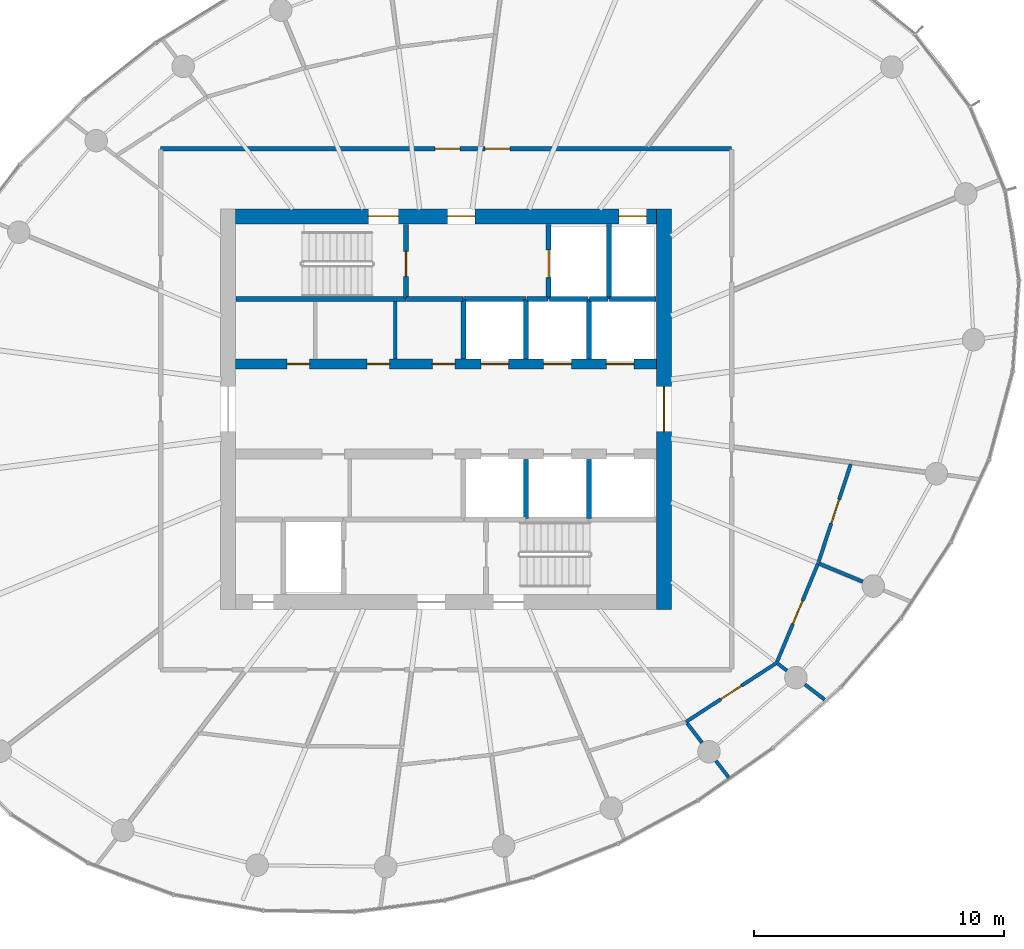
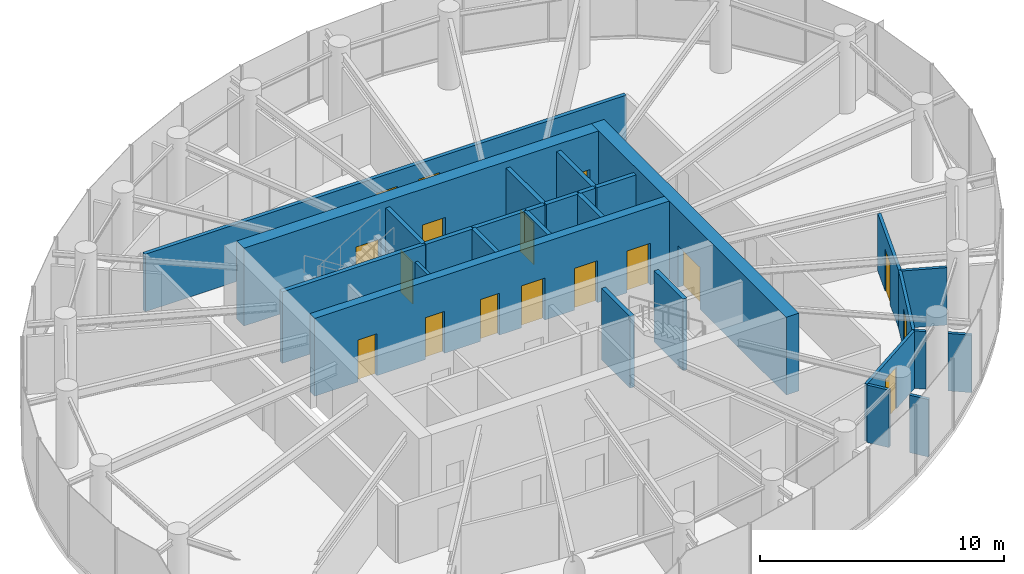
# One storey, part 11 of 14: 28 walls, 17 doors, 17 openings.
"""IFC4 building model written with IfcOpenShell, lengths in metres."""

from ifc_helpers import new_model, si_unit, direction, frame, frame_2d, origin, place, context, subcontext, project, spatial, rectangle, extrude, source, transform, mapped, material, layer, layer_set, type_object, element, fill, save


model = new_model("IFC4")

# Units and contexts
model_context = context("Model", 3, precision=1e-05, world=origin(), true_north=direction((0.0, 1.0)))
body_context = subcontext(model_context, "Body", "Model", "MODEL_VIEW")
ifc_project = project(units=[si_unit("LENGTHUNIT", "METRE"), si_unit("AREAUNIT", "SQUARE_METRE"), si_unit("VOLUMEUNIT", "CUBIC_METRE"), si_unit("PLANEANGLEUNIT", "RADIAN"), si_unit("MASSUNIT", "GRAM", prefix="KILO")], contexts=[model_context])

# Site, building, storey
site_placement = place(None, origin())
site = spatial("IfcSite", under=ifc_project, at=site_placement, CompositionType="ELEMENT")
building_placement = place(site_placement, origin())
building = spatial("IfcBuilding", under=site, at=building_placement, Name="Spindrift Exchange Tower", CompositionType="ELEMENT")
storey_placement = place(building_placement, frame((0.0, 0.0, 215.0)))
storey = spatial("IfcBuildingStorey", under=building, at=storey_placement, Name="L52", CompositionType="ELEMENT", Elevation=215.0)

# Wall, opening, door
ifc_material_1 = material(Name="Concrete 50 MPa", Category="concrete")
ifc_layer_1 = layer(ifc_material_1, 0.60009765625)
ifc_layer_set_1 = layer_set([ifc_layer_1], Name="RC Core Wall 600 Concrete 50 MPa")
wall_type_1 = type_object("IfcWallType", Name="RC Core Wall 600 Concrete 50 MPa", PredefinedType="SHEAR", material=ifc_layer_set_1)
wall_1_placement = place(storey_placement, frame((60.699951171875, 40.0, 0.0), z_axis=(0.0, 0.0, 1.0), x_axis=(0.0, 1.0, 0.0)))
wall_1 = element("IfcWall", 1, at=wall_1_placement, inside=storey, type_object=wall_type_1, Name="Core wall E L52", PredefinedType="SHEAR", context=body_context, shape_type="SweptSolid", body=[
    extrude(rectangle(XDim=16.0, YDim=0.60009765625, at=frame_2d((8.0, 0.0))), origin(), (0.0, 0.0, 1.0), 3.89990234375),
])
opening_1_placement = place(wall_1_placement, frame((7.10009765625, 0.0, 0.0)))
opening_1 = element("IfcOpeningElement", 2, at=opening_1_placement, cuts=wall_1, Name="Opening L52-D2", PredefinedType="OPENING", context=body_context, shape_type="SweptSolid", body=[
    extrude(rectangle(XDim=1.800048828125, YDim=2.10009765625, at=frame_2d((0.89990234375, 1.050048828125))), frame((0.0, 0.31005859375, 0.0), z_axis=(0.0, -1.0, 0.0), x_axis=(1.0, 0.0, 0.0)), (0.0, 0.0, 1.0), 0.6201171875),
])
ifc_material_2 = material(Name="Timber-core fire door", Category="wood")
door_type_1 = type_object("IfcDoorType", Name="DR-LOBBY-1800", OperationType="NOTDEFINED", PredefinedType="DOOR", material=ifc_material_2)
shared_shape_1 = source(origin(), body_context, "Body", "SweptSolid", [
    extrude(rectangle(XDim=1.800048828125, YDim=2.10009765625, at=frame_2d((0.89990234375, 1.050048828125))), frame((0.0, 0.02490234375, 0.0), z_axis=(0.0, -1.0, 0.0), x_axis=(1.0, 0.0, 0.0)), (0.0, 0.0, 1.0), 0.050048828125),
])
door_1_placement = place(opening_1_placement, origin())
door_1 = element("IfcDoor", 3, at=door_1_placement, inside=storey, type_object=door_type_1, Name="L52 Lobby door 2", OperationType="SINGLE_SWING_RIGHT", OverallHeight=2.10009765625, OverallWidth=1.800048828125, PredefinedType="DOOR", context=body_context, shape_type="MappedRepresentation", body=[
    mapped(shared_shape_1, transform((0.0, 0.0, 0.0), scale=1.0)),
])
fill(opening_1, door_1)

# Wall, openings, doors
wall_2_placement = place(storey_placement, frame((60.39990234375, 55.699951171875, 0.0), z_axis=(0.0, 0.0, 1.0), x_axis=(-1.0, 0.0, 0.0)))
wall_2 = element("IfcWall", 4, at=wall_2_placement, inside=storey, type_object=wall_type_1, Name="Core wall N L52", PredefinedType="SHEAR", context=body_context, shape_type="SweptSolid", body=[
    extrude(rectangle(XDim=16.7998046875, YDim=0.60009765625, at=frame_2d((8.39990234375, 0.0))), origin(), (0.0, 0.0, 1.0), 3.89990234375),
])
opening_2_placement = place(wall_2_placement, frame((0.39990234375, 0.0, 0.0)))
opening_2 = element("IfcOpeningElement", 5, at=opening_2_placement, cuts=wall_2, Name="Opening L52-D11", PredefinedType="OPENING", context=body_context, shape_type="SweptSolid", body=[
    extrude(rectangle(XDim=1.10009765625, YDim=2.10009765625, at=frame_2d((0.550048828125, 1.050048828125))), frame((0.0, 0.31005859375, 0.0), z_axis=(0.0, -1.0, 0.0), x_axis=(1.0, 0.0, 0.0)), (0.0, 0.0, 1.0), 0.6201171875),
])
opening_3_placement = place(wall_2_placement, frame((10.300048828125, 0.0, 0.0)))
opening_3 = element("IfcOpeningElement", 6, at=opening_3_placement, cuts=wall_2, Name="Opening L52-D12", PredefinedType="OPENING", context=body_context, shape_type="SweptSolid", body=[
    extrude(rectangle(XDim=1.199951171875, YDim=2.10009765625, at=frame_2d((0.60009765625, 1.050048828125))), frame((0.0, 0.31005859375, 0.0), z_axis=(0.0, -1.0, 0.0), x_axis=(1.0, 0.0, 0.0)), (0.0, 0.0, 1.0), 0.6201171875),
])
opening_4_placement = place(wall_2_placement, frame((7.25, 0.0, 0.0)))
opening_4 = element("IfcOpeningElement", 7, at=opening_4_placement, cuts=wall_2, Name="Opening L52-D14", PredefinedType="OPENING", context=body_context, shape_type="SweptSolid", body=[
    extrude(rectangle(XDim=1.10009765625, YDim=2.10009765625, at=frame_2d((0.550048828125, 1.050048828125))), frame((0.0, 0.31005859375, 0.0), z_axis=(0.0, -1.0, 0.0), x_axis=(1.0, 0.0, 0.0)), (0.0, 0.0, 1.0), 0.6201171875),
])
ifc_material_3 = material(Name="Stainless steel landing door", Category="steel")
door_type_2 = type_object("IfcDoorType", Name="DR-LANDING-1100-SL", OperationType="DOUBLE_DOOR_SLIDING", PredefinedType="USERDEFINED", material=ifc_material_3)
shared_shape_2 = source(origin(), body_context, "Body", "SweptSolid", [
    extrude(rectangle(XDim=1.10009765625, YDim=2.10009765625, at=frame_2d((0.550048828125, 1.050048828125))), frame((0.0, 0.02490234375, 0.0), z_axis=(0.0, -1.0, 0.0), x_axis=(1.0, 0.0, 0.0)), (0.0, 0.0, 1.0), 0.050048828125),
])
door_2_placement = place(opening_2_placement, origin())
door_2 = element("IfcDoor", 8, at=door_2_placement, inside=storey, type_object=door_type_2, Name="L52 Lift landing door 11", ObjectType="LANDING DOOR", OperationType="DOUBLE_DOOR_SLIDING", OverallHeight=2.10009765625, OverallWidth=1.10009765625, PredefinedType="USERDEFINED", context=body_context, shape_type="MappedRepresentation", body=[
    mapped(shared_shape_2, transform((0.0, 0.0, 0.0), scale=1.0)),
])
fill(opening_2, door_2)
ifc_material_4 = material(Name="Steel fire door", Category="steel")
door_type_3 = type_object("IfcDoorType", Name="DR-STAIR-1200", OperationType="NOTDEFINED", PredefinedType="DOOR", material=ifc_material_4)
shared_shape_3 = source(origin(), body_context, "Body", "SweptSolid", [
    extrude(rectangle(XDim=1.199951171875, YDim=2.10009765625, at=frame_2d((0.60009765625, 1.050048828125))), frame((0.0, 0.02490234375, 0.0), z_axis=(0.0, -1.0, 0.0), x_axis=(1.0, 0.0, 0.0)), (0.0, 0.0, 1.0), 0.050048828125),
])
door_3_placement = place(opening_3_placement, origin())
door_3 = element("IfcDoor", 9, at=door_3_placement, inside=storey, type_object=door_type_3, Name="L52 Stair door 12", OperationType="SINGLE_SWING_LEFT", OverallHeight=2.10009765625, OverallWidth=1.199951171875, PredefinedType="DOOR", context=body_context, shape_type="MappedRepresentation", body=[
    mapped(shared_shape_3, transform((0.0, 0.0, 0.0), scale=1.0)),
])
fill(opening_3, door_3)
door_type_4 = type_object("IfcDoorType", Name="DR-LOBBY-1100", OperationType="NOTDEFINED", PredefinedType="DOOR", material=ifc_material_2)
shared_shape_4 = source(origin(), body_context, "Body", "SweptSolid", [
    extrude(rectangle(XDim=1.10009765625, YDim=2.10009765625, at=frame_2d((0.550048828125, 1.050048828125))), frame((0.0, 0.02490234375, 0.0), z_axis=(0.0, -1.0, 0.0), x_axis=(1.0, 0.0, 0.0)), (0.0, 0.0, 1.0), 0.050048828125),
])
door_4_placement = place(opening_4_placement, origin())
door_4 = element("IfcDoor", 10, at=door_4_placement, inside=storey, type_object=door_type_4, Name="L52 Lobby door 14", OperationType="SINGLE_SWING_LEFT", OverallHeight=2.10009765625, OverallWidth=1.10009765625, PredefinedType="DOOR", context=body_context, shape_type="MappedRepresentation", body=[
    mapped(shared_shape_4, transform((0.0, 0.0, 0.0), scale=1.0)),
])
fill(opening_4, door_4)

ifc_layer_2 = layer(ifc_material_1, 0.39990234375)
ifc_layer_set_2 = layer_set([ifc_layer_2], Name="RC Spine Wall 400 Concrete 50 MPa")
wall_type_2 = type_object("IfcWallType", Name="RC Spine Wall 400 Concrete 50 MPa", PredefinedType="SHEAR", material=ifc_layer_set_2)
wall_3_placement = place(storey_placement, frame((43.60009765625, 49.800048828125, 0.0), z_axis=(0.0, 0.0, 1.0), x_axis=(1.0, 0.0, 0.0)))
wall_3 = element("IfcWall", 11, at=wall_3_placement, inside=storey, type_object=wall_type_2, Name="Core spine wall N L52", PredefinedType="SHEAR", context=body_context, shape_type="SweptSolid", body=[
    extrude(rectangle(XDim=16.7998046875, YDim=0.39990234375, at=frame_2d((8.39990234375, 0.0))), origin(), (0.0, 0.0, 1.0), 3.89990234375),
])
opening_5_placement = place(wall_3_placement, frame((9.800048828125, 0.0, 0.0)))
opening_5 = element("IfcOpeningElement", 12, at=opening_5_placement, cuts=wall_3, Name="Opening L52-D3", PredefinedType="OPENING", context=body_context, shape_type="SweptSolid", body=[
    extrude(rectangle(XDim=1.10009765625, YDim=2.10009765625, at=frame_2d((0.550048828125, 1.050048828125))), frame((0.0, 0.2099609375, 0.0), z_axis=(0.0, -1.0, 0.0), x_axis=(1.0, 0.0, 0.0)), (0.0, 0.0, 1.0), 0.419921875),
])
opening_6_placement = place(wall_3_placement, frame((12.300048828125, 0.0, 0.0)))
opening_6 = element("IfcOpeningElement", 13, at=opening_6_placement, cuts=wall_3, Name="Opening L52-D4", PredefinedType="OPENING", context=body_context, shape_type="SweptSolid", body=[
    extrude(rectangle(XDim=1.10009765625, YDim=2.10009765625, at=frame_2d((0.550048828125, 1.050048828125))), frame((0.0, 0.2099609375, 0.0), z_axis=(0.0, -1.0, 0.0), x_axis=(1.0, 0.0, 0.0)), (0.0, 0.0, 1.0), 0.419921875),
])
opening_7_placement = place(wall_3_placement, frame((14.800048828125, 0.0, 0.0)))
opening_7 = element("IfcOpeningElement", 14, at=opening_7_placement, cuts=wall_3, Name="Opening L52-D5", PredefinedType="OPENING", context=body_context, shape_type="SweptSolid", body=[
    extrude(rectangle(XDim=1.10009765625, YDim=2.10009765625, at=frame_2d((0.550048828125, 1.050048828125))), frame((0.0, 0.2099609375, 0.0), z_axis=(0.0, -1.0, 0.0), x_axis=(1.0, 0.0, 0.0)), (0.0, 0.0, 1.0), 0.419921875),
])
opening_8_placement = place(wall_3_placement, frame((2.050048828125, 0.0, 0.0)))
opening_8 = element("IfcOpeningElement", 15, at=opening_8_placement, cuts=wall_3, Name="Opening L52-D41", PredefinedType="OPENING", context=body_context, shape_type="SweptSolid", body=[
    extrude(rectangle(XDim=0.89990234375, YDim=2.10009765625, at=frame_2d((0.449951171875, 1.050048828125))), frame((0.0, 0.2099609375, 0.0), z_axis=(0.0, -1.0, 0.0), x_axis=(1.0, 0.0, 0.0)), (0.0, 0.0, 1.0), 0.419921875),
])
opening_9_placement = place(wall_3_placement, frame((5.25, 0.0, 0.0)))
opening_9 = element("IfcOpeningElement", 16, at=opening_9_placement, cuts=wall_3, Name="Opening L52-D42", PredefinedType="OPENING", context=body_context, shape_type="SweptSolid", body=[
    extrude(rectangle(XDim=0.89990234375, YDim=2.10009765625, at=frame_2d((0.449951171875, 1.050048828125))), frame((0.0, 0.2099609375, 0.0), z_axis=(0.0, -1.0, 0.0), x_axis=(1.0, 0.0, 0.0)), (0.0, 0.0, 1.0), 0.419921875),
])
opening_10_placement = place(wall_3_placement, frame((7.85009765625, 0.0, 0.0)))
opening_10 = element("IfcOpeningElement", 17, at=opening_10_placement, cuts=wall_3, Name="Opening L52-D43", PredefinedType="OPENING", context=body_context, shape_type="SweptSolid", body=[
    extrude(rectangle(XDim=0.89990234375, YDim=2.10009765625, at=frame_2d((0.449951171875, 1.050048828125))), frame((0.0, 0.2099609375, 0.0), z_axis=(0.0, -1.0, 0.0), x_axis=(1.0, 0.0, 0.0)), (0.0, 0.0, 1.0), 0.419921875),
])
door_5_placement = place(opening_5_placement, origin())
door_5 = element("IfcDoor", 18, at=door_5_placement, inside=storey, type_object=door_type_2, Name="L52 Lift landing door 3", ObjectType="LANDING DOOR", OperationType="DOUBLE_DOOR_SLIDING", OverallHeight=2.10009765625, OverallWidth=1.10009765625, PredefinedType="USERDEFINED", context=body_context, shape_type="MappedRepresentation", body=[
    mapped(shared_shape_2, transform((0.0, 0.0, 0.0), scale=1.0)),
])
fill(opening_5, door_5)
door_6_placement = place(opening_6_placement, origin())
door_6 = element("IfcDoor", 19, at=door_6_placement, inside=storey, type_object=door_type_2, Name="L52 Lift landing door 4", ObjectType="LANDING DOOR", OperationType="DOUBLE_DOOR_SLIDING", OverallHeight=2.10009765625, OverallWidth=1.10009765625, PredefinedType="USERDEFINED", context=body_context, shape_type="MappedRepresentation", body=[
    mapped(shared_shape_2, transform((0.0, 0.0, 0.0), scale=1.0)),
])
fill(opening_6, door_6)
door_7_placement = place(opening_7_placement, origin())
door_7 = element("IfcDoor", 20, at=door_7_placement, inside=storey, type_object=door_type_2, Name="L52 Lift landing door 5", ObjectType="LANDING DOOR", OperationType="DOUBLE_DOOR_SLIDING", OverallHeight=2.10009765625, OverallWidth=1.10009765625, PredefinedType="USERDEFINED", context=body_context, shape_type="MappedRepresentation", body=[
    mapped(shared_shape_2, transform((0.0, 0.0, 0.0), scale=1.0)),
])
fill(opening_7, door_7)
ifc_material_5 = material(Name="Steel access door", Category="steel")
door_type_5 = type_object("IfcDoorType", Name="DR-RISER-900", OperationType="NOTDEFINED", PredefinedType="DOOR", material=ifc_material_5)
shared_shape_5 = source(origin(), body_context, "Body", "SweptSolid", [
    extrude(rectangle(XDim=0.89990234375, YDim=2.10009765625, at=frame_2d((0.449951171875, 1.050048828125))), frame((0.0, 0.02490234375, 0.0), z_axis=(0.0, -1.0, 0.0), x_axis=(1.0, 0.0, 0.0)), (0.0, 0.0, 1.0), 0.050048828125),
])
door_8_placement = place(opening_8_placement, origin())
door_8 = element("IfcDoor", 21, at=door_8_placement, inside=storey, type_object=door_type_5, Name="L52 Riser door 41", OperationType="SINGLE_SWING_RIGHT", OverallHeight=2.10009765625, OverallWidth=0.89990234375, PredefinedType="DOOR", context=body_context, shape_type="MappedRepresentation", body=[
    mapped(shared_shape_5, transform((0.0, 0.0, 0.0), scale=1.0)),
])
fill(opening_8, door_8)
door_9_placement = place(opening_9_placement, origin())
door_9 = element("IfcDoor", 22, at=door_9_placement, inside=storey, type_object=door_type_5, Name="L52 Riser door 42", OperationType="SINGLE_SWING_LEFT", OverallHeight=2.10009765625, OverallWidth=0.89990234375, PredefinedType="DOOR", context=body_context, shape_type="MappedRepresentation", body=[
    mapped(shared_shape_5, transform((0.0, 0.0, 0.0), scale=1.0)),
])
fill(opening_9, door_9)
door_10_placement = place(opening_10_placement, origin())
door_10 = element("IfcDoor", 23, at=door_10_placement, inside=storey, type_object=door_type_5, Name="L52 Riser door 43", OperationType="SINGLE_SWING_RIGHT", OverallHeight=2.10009765625, OverallWidth=0.89990234375, PredefinedType="DOOR", context=body_context, shape_type="MappedRepresentation", body=[
    mapped(shared_shape_5, transform((0.0, 0.0, 0.0), scale=1.0)),
])
fill(opening_10, door_10)

ifc_material_6 = material(Name="Fire-rated plasterboard partition", Category="gypsum")
ifc_layer_3 = layer(ifc_material_6, 0.179931640625)
ifc_layer_set_3 = layer_set([ifc_layer_3], Name="W-CORR-180")
wall_type_3 = type_object("IfcWallType", Name="W-CORR-180", PredefinedType="PARTITIONING", material=ifc_layer_set_3)
wall_4_placement = place(storey_placement, frame((40.60009765625, 58.39990234375, 0.0), z_axis=(0.0, 0.0, 1.0), x_axis=(1.0, 0.0, 0.0)))
wall_4 = element("IfcWall", 24, at=wall_4_placement, inside=storey, type_object=wall_type_3, Name="L52 Partition wall 27", PredefinedType="PARTITIONING", context=body_context, shape_type="SweptSolid", body=[
    extrude(rectangle(XDim=22.7998046875, YDim=0.179931640625, at=frame_2d((11.39990234375, 0.0))), origin(), (0.0, 0.0, 1.0), 2.8798828125),
])
opening_11_placement = place(wall_4_placement, frame((12.949951171875, 0.0, 0.0)))
opening_11 = element("IfcOpeningElement", 25, at=opening_11_placement, cuts=wall_4, Name="Opening L52-D32", PredefinedType="OPENING", context=body_context, shape_type="SweptSolid", body=[
    extrude(rectangle(XDim=1.0, YDim=2.10009765625, at=frame_2d((0.5, 1.050048828125))), frame((0.0, 0.099853515625, 0.0), z_axis=(0.0, -1.0, 0.0), x_axis=(1.0, 0.0, 0.0)), (0.0, 0.0, 1.0), 0.199951171875),
])
opening_12_placement = place(wall_4_placement, frame((10.949951171875, 0.0, 0.0)))
opening_12 = element("IfcOpeningElement", 26, at=opening_12_placement, cuts=wall_4, Name="Opening L52-D33", PredefinedType="OPENING", context=body_context, shape_type="SweptSolid", body=[
    extrude(rectangle(XDim=1.0, YDim=2.10009765625, at=frame_2d((0.5, 1.050048828125))), frame((0.0, 0.099853515625, 0.0), z_axis=(0.0, -1.0, 0.0), x_axis=(1.0, 0.0, 0.0)), (0.0, 0.0, 1.0), 0.199951171875),
])
door_type_6 = type_object("IfcDoorType", Name="DR-ROOM-1000", OperationType="NOTDEFINED", PredefinedType="DOOR", material=ifc_material_2)
shared_shape_6 = source(origin(), body_context, "Body", "SweptSolid", [
    extrude(rectangle(XDim=1.0, YDim=2.10009765625, at=frame_2d((0.5, 1.050048828125))), frame((0.0, 0.02490234375, 0.0), z_axis=(0.0, -1.0, 0.0), x_axis=(1.0, 0.0, 0.0)), (0.0, 0.0, 1.0), 0.050048828125),
])
door_11_placement = place(opening_11_placement, origin())
door_11 = element("IfcDoor", 27, at=door_11_placement, inside=storey, type_object=door_type_6, Name="L52 Door 32", OperationType="SINGLE_SWING_LEFT", OverallHeight=2.10009765625, OverallWidth=1.0, PredefinedType="DOOR", context=body_context, shape_type="MappedRepresentation", body=[
    mapped(shared_shape_6, transform((0.0, 0.0, 0.0), scale=1.0)),
])
fill(opening_11, door_11)
door_12_placement = place(opening_12_placement, origin())
door_12 = element("IfcDoor", 28, at=door_12_placement, inside=storey, type_object=door_type_6, Name="L52 Door 33", OperationType="SINGLE_SWING_RIGHT", OverallHeight=2.10009765625, OverallWidth=1.0, PredefinedType="DOOR", context=body_context, shape_type="MappedRepresentation", body=[
    mapped(shared_shape_6, transform((0.0, 0.0, 0.0), scale=1.0)),
])
fill(opening_12, door_12)

# Wall, opening, door
ifc_layer_4 = layer(ifc_material_6, 0.139892578125)
ifc_layer_set_4 = layer_set([ifc_layer_4], Name="W-PART-140")
wall_type_4 = type_object("IfcWallType", Name="W-PART-140", PredefinedType="PARTITIONING", material=ifc_layer_set_4)
wall_5_placement = place(storey_placement, frame((65.2021484375, 37.86962890625, 0.0), z_axis=(0.0, 0.0, 1.0), x_axis=(-0.837855616801, -0.545891899001, 0.0)))
wall_5 = element("IfcWall", 29, at=wall_5_placement, inside=storey, type_object=wall_type_4, Name="L52 Partition wall 39", PredefinedType="PARTITIONING", context=body_context, shape_type="SweptSolid", body=[
    extrude(rectangle(XDim=4.31982421875, YDim=0.139892578125, at=frame_2d((2.159912109375, 0.0))), origin(), (0.0, 0.0, 1.0), 2.8798828125),
])
opening_13_placement = place(wall_5_placement, frame((1.669921875, 0.0, 0.0)))
opening_13 = element("IfcOpeningElement", 30, at=opening_13_placement, cuts=wall_5, Name="Opening L52-D27", PredefinedType="OPENING", context=body_context, shape_type="SweptSolid", body=[
    extrude(rectangle(XDim=1.0, YDim=2.10009765625, at=frame_2d((0.5, 1.050048828125))), frame((0.0, 0.079833984375, 0.0), z_axis=(0.0, -1.0, 0.0), x_axis=(1.0, 0.0, 0.0)), (0.0, 0.0, 1.0), 0.159912109375),
])
door_13_placement = place(opening_13_placement, origin())
door_13 = element("IfcDoor", 31, at=door_13_placement, inside=storey, type_object=door_type_6, Name="L52 Door 27", OperationType="SINGLE_SWING_RIGHT", OverallHeight=2.10009765625, OverallWidth=1.0, PredefinedType="DOOR", context=body_context, shape_type="MappedRepresentation", body=[
    mapped(shared_shape_6, transform((0.0, 0.0, 0.0), scale=1.0)),
])
fill(opening_13, door_13)

wall_6_placement = place(storey_placement, frame((66.858154296875, 41.845458984375, 0.0), z_axis=(0.0, 0.0, 1.0), x_axis=(-0.384501893961, -0.923124202662, 0.0)))
wall_6 = element("IfcWall", 32, at=wall_6_placement, inside=storey, type_object=wall_type_4, Name="L52 Partition wall 41", PredefinedType="PARTITIONING", context=body_context, shape_type="SweptSolid", body=[
    extrude(rectangle(XDim=4.277099609375, YDim=0.139892578125, at=frame_2d((2.138671875, 0.0))), origin(), (0.0, 0.0, 1.0), 2.8798828125),
])
opening_14_placement = place(wall_6_placement, frame((1.626953125, 0.0, 0.0)))
opening_14 = element("IfcOpeningElement", 33, at=opening_14_placement, cuts=wall_6, Name="Opening L52-D28", PredefinedType="OPENING", context=body_context, shape_type="SweptSolid", body=[
    extrude(rectangle(XDim=1.0, YDim=2.10009765625, at=frame_2d((0.5, 1.050048828125))), frame((0.0, 0.079833984375, 0.0), z_axis=(0.0, -1.0, 0.0), x_axis=(1.0, 0.0, 0.0)), (0.0, 0.0, 1.0), 0.159912109375),
])
door_14_placement = place(opening_14_placement, origin())
door_14 = element("IfcDoor", 34, at=door_14_placement, inside=storey, type_object=door_type_6, Name="L52 Door 28", OperationType="SINGLE_SWING_LEFT", OverallHeight=2.10009765625, OverallWidth=1.0, PredefinedType="DOOR", context=body_context, shape_type="MappedRepresentation", body=[
    mapped(shared_shape_6, transform((0.0, 0.0, 0.0), scale=1.0)),
])
fill(opening_14, door_14)

wall_7_placement = place(storey_placement, frame((68.1591796875, 45.802001953125, 0.0), z_axis=(0.0, 0.0, 1.0), x_axis=(-0.312345892562, -0.94996844337, 0.0)))
wall_7 = element("IfcWall", 35, at=wall_7_placement, inside=storey, type_object=wall_type_4, Name="L52 Partition wall 42", PredefinedType="PARTITIONING", context=body_context, shape_type="SweptSolid", body=[
    extrude(rectangle(XDim=4.134765625, YDim=0.139892578125, at=frame_2d((2.0673828125, 0.0))), origin(), (0.0, 0.0, 1.0), 2.8798828125),
])
opening_15_placement = place(wall_7_placement, frame((1.48486328125, 0.0, 0.0)))
opening_15 = element("IfcOpeningElement", 36, at=opening_15_placement, cuts=wall_7, Name="Opening L52-D29", PredefinedType="OPENING", context=body_context, shape_type="SweptSolid", body=[
    extrude(rectangle(XDim=1.0, YDim=2.10009765625, at=frame_2d((0.5, 1.050048828125))), frame((0.0, 0.079833984375, 0.0), z_axis=(0.0, -1.0, 0.0), x_axis=(1.0, 0.0, 0.0)), (0.0, 0.0, 1.0), 0.159912109375),
])
door_15_placement = place(opening_15_placement, origin())
door_15 = element("IfcDoor", 37, at=door_15_placement, inside=storey, type_object=door_type_6, Name="L52 Door 29", OperationType="SINGLE_SWING_RIGHT", OverallHeight=2.10009765625, OverallWidth=1.0, PredefinedType="DOOR", context=body_context, shape_type="MappedRepresentation", body=[
    mapped(shared_shape_6, transform((0.0, 0.0, 0.0), scale=1.0)),
])
fill(opening_15, door_15)

# Walls
wall_8_placement = place(storey_placement, frame((49.969970703125, 50.010009765625, 0.0), z_axis=(0.0, 0.0, 1.0), x_axis=(0.0, 1.0, 0.0)))
element("IfcWall", 38, at=wall_8_placement, inside=storey, type_object=wall_type_4, Name="L52 Partition wall 60", PredefinedType="PARTITIONING", context=body_context, shape_type="SweptSolid", body=[
    extrude(rectangle(XDim=2.2900390625, YDim=0.139892578125, at=frame_2d((1.14501953125, 0.0))), origin(), (0.0, 0.0, 1.0), 2.8798828125),
])
wall_9_placement = place(storey_placement, frame((66.885986328125, 41.833984375, 0.0), z_axis=(0.0, 0.0, 1.0), x_axis=(0.923881960825, -0.382677569846, 0.0)))
element("IfcWall", 39, at=wall_9_placement, inside=storey, type_object=wall_type_4, Name="L52 Partition wall 64", PredefinedType="PARTITIONING", context=body_context, shape_type="SweptSolid", body=[
    extrude(rectangle(XDim=1.8974609375, YDim=0.139892578125, at=frame_2d((0.94873046875, 0.0))), origin(), (0.0, 0.0, 1.0), 2.8798828125),
])
wall_10_placement = place(storey_placement, frame((61.62548828125, 35.455810546875, 0.0), z_axis=(0.0, 0.0, 1.0), x_axis=(0.608724079915, -0.793381997862, 0.0)))
element("IfcWall", 40, at=wall_10_placement, inside=storey, type_object=wall_type_4, Name="L52 Partition wall 73", PredefinedType="PARTITIONING", context=body_context, shape_type="SweptSolid", body=[
    extrude(rectangle(XDim=0.98095703125, YDim=0.139892578125, at=frame_2d((0.490478515625, 0.0))), origin(), (0.0, 0.0, 1.0), 2.8798828125),
])
wall_11_placement = place(storey_placement, frame((66.33154296875, 37.0029296875, 0.0), z_axis=(0.0, 0.0, 1.0), x_axis=(0.793419984166, -0.608674567176, 0.0)))
element("IfcWall", 41, at=wall_11_placement, inside=storey, type_object=wall_type_4, Name="L52 Partition wall 78", PredefinedType="PARTITIONING", context=body_context, shape_type="SweptSolid", body=[
    extrude(rectangle(XDim=0.9912109375, YDim=0.139892578125, at=frame_2d((0.49560546875, 0.0))), origin(), (0.0, 0.0, 1.0), 2.8798828125),
])
wall_12_placement = place(storey_placement, frame((62.77587890625, 33.956298828125, 0.0), z_axis=(0.0, 0.0, 1.0), x_axis=(0.609006416532, -0.793165294641, 0.0)))
element("IfcWall", 42, at=wall_12_placement, inside=storey, type_object=wall_type_4, Name="L52 Partition wall 82", PredefinedType="PARTITIONING", context=body_context, shape_type="SweptSolid", body=[
    extrude(rectangle(XDim=0.837890625, YDim=0.139892578125, at=frame_2d((0.4189453125, 0.0))), origin(), (0.0, 0.0, 1.0), 2.8798828125),
])
wall_13_placement = place(storey_placement, frame((65.22607421875, 37.851318359375, 0.0), z_axis=(0.0, 0.0, 1.0), x_axis=(0.793298003937, -0.608833537964, 0.0)))
element("IfcWall", 43, at=wall_13_placement, inside=storey, type_object=wall_type_4, Name="L52 Partition wall 87", PredefinedType="PARTITIONING", context=body_context, shape_type="SweptSolid", body=[
    extrude(rectangle(XDim=0.484375, YDim=0.139892578125, at=frame_2d((0.2421875, 0.0))), origin(), (0.0, 0.0, 1.0), 2.8798828125),
])

# Wall, opening, door
ifc_material_7 = material(Name="Concrete 40 MPa", Category="concrete")
ifc_layer_5 = layer(ifc_material_7, 0.199951171875)
ifc_layer_set_5 = layer_set([ifc_layer_5], Name="W-SHAFT-200")
wall_type_5 = type_object("IfcWallType", Name="W-SHAFT-200", PredefinedType="SOLIDWALL", material=ifc_layer_set_5)
wall_14_placement = place(storey_placement, frame((56.10009765625, 55.3798828125, 0.0), z_axis=(0.0, 0.0, 1.0), x_axis=(0.0, -1.0, 0.0)))
wall_14 = element("IfcWall", 44, at=wall_14_placement, inside=storey, type_object=wall_type_5, Name="L52 Shaft wall 7", PredefinedType="SOLIDWALL", context=body_context, shape_type="SweptSolid", body=[
    extrude(rectangle(XDim=2.97998046875, YDim=0.199951171875, at=frame_2d((1.489990234375, 0.0))), origin(), (0.0, 0.0, 1.0), 3.580078125),
])
opening_16_placement = place(wall_14_placement, frame((1.030029296875, 0.0, 0.0)))
opening_16 = element("IfcOpeningElement", 45, at=opening_16_placement, cuts=wall_14, Name="Opening L52-D9", PredefinedType="OPENING", context=body_context, shape_type="SweptSolid", body=[
    extrude(rectangle(XDim=1.10009765625, YDim=2.10009765625, at=frame_2d((0.550048828125, 1.050048828125))), frame((0.0, 0.10986328125, 0.0), z_axis=(0.0, -1.0, 0.0), x_axis=(1.0, 0.0, 0.0)), (0.0, 0.0, 1.0), 0.219970703125),
])
door_16_placement = place(opening_16_placement, origin())
door_16 = element("IfcDoor", 46, at=door_16_placement, inside=storey, type_object=door_type_2, Name="L52 Lift landing door 9", ObjectType="LANDING DOOR", OperationType="DOUBLE_DOOR_SLIDING", OverallHeight=2.10009765625, OverallWidth=1.10009765625, PredefinedType="USERDEFINED", context=body_context, shape_type="MappedRepresentation", body=[
    mapped(shared_shape_2, transform((0.0, 0.0, 0.0), scale=1.0)),
])
fill(opening_16, door_16)

# Walls
wall_15_placement = place(storey_placement, frame((58.5, 52.39990234375, 0.0), z_axis=(0.0, 0.0, 1.0), x_axis=(0.0, 1.0, 0.0)))
element("IfcWall", 47, at=wall_15_placement, inside=storey, type_object=wall_type_5, Name="L52 Shaft wall 8", PredefinedType="SOLIDWALL", context=body_context, shape_type="SweptSolid", body=[
    extrude(rectangle(XDim=2.97998046875, YDim=0.199951171875, at=frame_2d((1.489990234375, 0.0))), origin(), (0.0, 0.0, 1.0), 3.580078125),
])
wall_16_placement = place(storey_placement, frame((55.199951171875, 52.39990234375, 0.0), z_axis=(0.0, 0.0, 1.0), x_axis=(-1.0, 0.0, 0.0)))
element("IfcWall", 48, at=wall_16_placement, inside=storey, type_object=wall_type_5, Name="L52 Shaft wall 10", PredefinedType="SOLIDWALL", context=body_context, shape_type="SweptSolid", body=[
    extrude(rectangle(XDim=2.5, YDim=0.199951171875, at=frame_2d((1.25, 0.0))), origin(), (0.0, 0.0, 1.0), 3.580078125),
])
for number, where, z_axis, x_axis, name in (
    (49, (52.699951171875, 52.3701171875, 0.0), (0.0, 0.0, 1.0), (0.0, -1.0, 0.0), "L52 Shaft wall 14"),
    (50, (55.199951171875, 50.010009765625, 0.0), (0.0, 0.0, 1.0), (0.0, 1.0, 0.0), "L52 Shaft wall 16"),
):
    element("IfcWall", number, at=place(storey_placement, frame(where, z_axis=z_axis, x_axis=x_axis)), inside=storey, type_object=wall_type_5, Name=name, PredefinedType="SOLIDWALL", context=body_context, shape_type="SweptSolid", body=[
        extrude(rectangle(XDim=2.360107421875, YDim=0.199951171875, at=frame_2d((1.18017578125, 0.0))), origin(), (0.0, 0.0, 1.0), 3.580078125),
    ])
wall_17_placement = place(storey_placement, frame((57.699951171875, 50.010009765625, 0.0), z_axis=(0.0, 0.0, 1.0), x_axis=(0.0, 1.0, 0.0)))
element("IfcWall", 51, at=wall_17_placement, inside=storey, type_object=wall_type_5, Name="L52 Shaft wall 18", PredefinedType="SOLIDWALL", context=body_context, shape_type="SweptSolid", body=[
    extrude(rectangle(XDim=2.389892578125, YDim=0.199951171875, at=frame_2d((1.19482421875, 0.0))), origin(), (0.0, 0.0, 1.0), 3.580078125),
])
wall_18_placement = place(storey_placement, frame((60.3798828125, 52.39990234375, 0.0), z_axis=(0.0, 0.0, 1.0), x_axis=(-1.0, 0.0, 0.0)))
element("IfcWall", 52, at=wall_18_placement, inside=storey, type_object=wall_type_5, Name="L52 Shaft wall 21", PredefinedType="SOLIDWALL", context=body_context, shape_type="SweptSolid", body=[
    extrude(rectangle(XDim=1.849853515625, YDim=0.199951171875, at=frame_2d((0.9248046875, 0.0))), origin(), (0.0, 0.0, 1.0), 3.580078125),
])
wall_19_placement = place(storey_placement, frame((57.669921875, 52.39990234375, 0.0), z_axis=(0.0, 0.0, 1.0), x_axis=(-1.0, 0.0, 0.0)))
element("IfcWall", 53, at=wall_19_placement, inside=storey, type_object=wall_type_5, Name="L52 Shaft wall 23", PredefinedType="SOLIDWALL", context=body_context, shape_type="SweptSolid", body=[
    extrude(rectangle(XDim=1.5400390625, YDim=0.199951171875, at=frame_2d((0.77001953125, 0.0))), origin(), (0.0, 0.0, 1.0), 3.580078125),
])
wall_20_placement = place(storey_placement, frame((56.070068359375, 52.39990234375, 0.0), z_axis=(0.0, 0.0, 1.0), x_axis=(-1.0, 0.0, 0.0)))
element("IfcWall", 54, at=wall_20_placement, inside=storey, type_object=wall_type_5, Name="L52 Shaft wall 25", PredefinedType="SOLIDWALL", context=body_context, shape_type="SweptSolid", body=[
    extrude(rectangle(XDim=0.840087890625, YDim=0.199951171875, at=frame_2d((0.419921875, 0.0))), origin(), (0.0, 0.0, 1.0), 3.580078125),
])
wall_21_placement = place(storey_placement, frame((58.469970703125, 52.39990234375, 0.0), z_axis=(0.0, 0.0, 1.0), x_axis=(-1.0, 0.0, 0.0)))
element("IfcWall", 55, at=wall_21_placement, inside=storey, type_object=wall_type_5, Name="L52 Shaft wall 26", PredefinedType="SOLIDWALL", context=body_context, shape_type="SweptSolid", body=[
    extrude(rectangle(XDim=0.739990234375, YDim=0.199951171875, at=frame_2d((0.3701171875, 0.0))), origin(), (0.0, 0.0, 1.0), 3.580078125),
])
ifc_layer_6 = layer(ifc_material_7, 0.199951171875)
ifc_layer_set_6 = layer_set([ifc_layer_6], Name="W-SHAFT-200-LB")
wall_type_6 = type_object("IfcWallType", Name="W-SHAFT-200-LB", PredefinedType="SOLIDWALL", material=ifc_layer_set_6)
wall_22_placement = place(storey_placement, frame((43.6201171875, 52.39990234375, 0.0), z_axis=(0.0, 0.0, 1.0), x_axis=(1.0, 0.0, 0.0)))
element("IfcWall", 56, at=wall_22_placement, inside=storey, type_object=wall_type_6, Name="L52 Shaft wall 1", PredefinedType="SOLIDWALL", context=body_context, shape_type="SweptSolid", body=[
    extrude(rectangle(XDim=6.77978515625, YDim=0.199951171875, at=frame_2d((3.389892578125, 0.0))), origin(), (0.0, 0.0, 1.0), 3.580078125),
])

# Wall, opening, door
wall_23_placement = place(storey_placement, frame((50.39990234375, 52.429931640625, 0.0), z_axis=(0.0, 0.0, 1.0), x_axis=(0.0, 1.0, 0.0)))
wall_23 = element("IfcWall", 57, at=wall_23_placement, inside=storey, type_object=wall_type_6, Name="L52 Shaft wall 5", PredefinedType="SOLIDWALL", context=body_context, shape_type="SweptSolid", body=[
    extrude(rectangle(XDim=2.949951171875, YDim=0.199951171875, at=frame_2d((1.47509765625, 0.0))), origin(), (0.0, 0.0, 1.0), 3.580078125),
])
opening_17_placement = place(wall_23_placement, frame((0.8701171875, 0.0, 0.0)))
opening_17 = element("IfcOpeningElement", 58, at=opening_17_placement, cuts=wall_23, Name="Opening L52-D13", PredefinedType="OPENING", context=body_context, shape_type="SweptSolid", body=[
    extrude(rectangle(XDim=1.0, YDim=2.10009765625, at=frame_2d((0.5, 1.050048828125))), frame((0.0, 0.10986328125, 0.0), z_axis=(0.0, -1.0, 0.0), x_axis=(1.0, 0.0, 0.0)), (0.0, 0.0, 1.0), 0.219970703125),
])
door_type_7 = type_object("IfcDoorType", Name="DR-STAIR-1000", OperationType="NOTDEFINED", PredefinedType="DOOR", material=ifc_material_4)
shared_shape_7 = source(origin(), body_context, "Body", "SweptSolid", [
    extrude(rectangle(XDim=1.0, YDim=2.10009765625, at=frame_2d((0.5, 1.050048828125))), frame((0.0, 0.02490234375, 0.0), z_axis=(0.0, -1.0, 0.0), x_axis=(1.0, 0.0, 0.0)), (0.0, 0.0, 1.0), 0.050048828125),
])
door_17_placement = place(opening_17_placement, origin())
door_17 = element("IfcDoor", 59, at=door_17_placement, inside=storey, type_object=door_type_7, Name="L52 Stair door 13", OperationType="SINGLE_SWING_RIGHT", OverallHeight=2.10009765625, OverallWidth=1.0, PredefinedType="DOOR", context=body_context, shape_type="MappedRepresentation", body=[
    mapped(shared_shape_7, transform((0.0, 0.0, 0.0), scale=1.0)),
])
fill(opening_17, door_17)

# Walls
for number, where, z_axis, x_axis, name in (
    (60, (55.199951171875, 43.6298828125, 0.0), (0.0, 0.0, 1.0), (0.0, 1.0, 0.0), "L52 Shaft wall 15"),
    (61, (57.699951171875, 43.6298828125, 0.0), (0.0, 0.0, 1.0), (0.0, 1.0, 0.0), "L52 Shaft wall 17"),
):
    element("IfcWall", number, at=place(storey_placement, frame(where, z_axis=z_axis, x_axis=x_axis)), inside=storey, type_object=wall_type_6, Name=name, PredefinedType="SOLIDWALL", context=body_context, shape_type="SweptSolid", body=[
        extrude(rectangle(XDim=2.360107421875, YDim=0.199951171875, at=frame_2d((1.18017578125, 0.0))), origin(), (0.0, 0.0, 1.0), 3.580078125),
    ])
wall_24_placement = place(storey_placement, frame((50.429931640625, 52.39990234375, 0.0), z_axis=(0.0, 0.0, 1.0), x_axis=(1.0, 0.0, 0.0)))
element("IfcWall", 62, at=wall_24_placement, inside=storey, type_object=wall_type_6, Name="L52 Shaft wall 19", PredefinedType="SOLIDWALL", context=body_context, shape_type="SweptSolid", body=[
    extrude(rectangle(XDim=2.239990234375, YDim=0.199951171875, at=frame_2d((1.1201171875, 0.0))), origin(), (0.0, 0.0, 1.0), 3.580078125),
])

save(model, "model.ifc")
